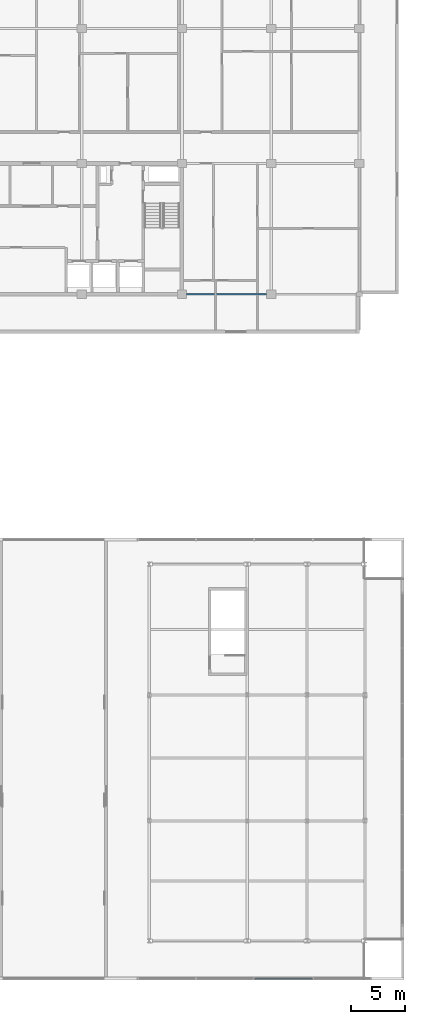
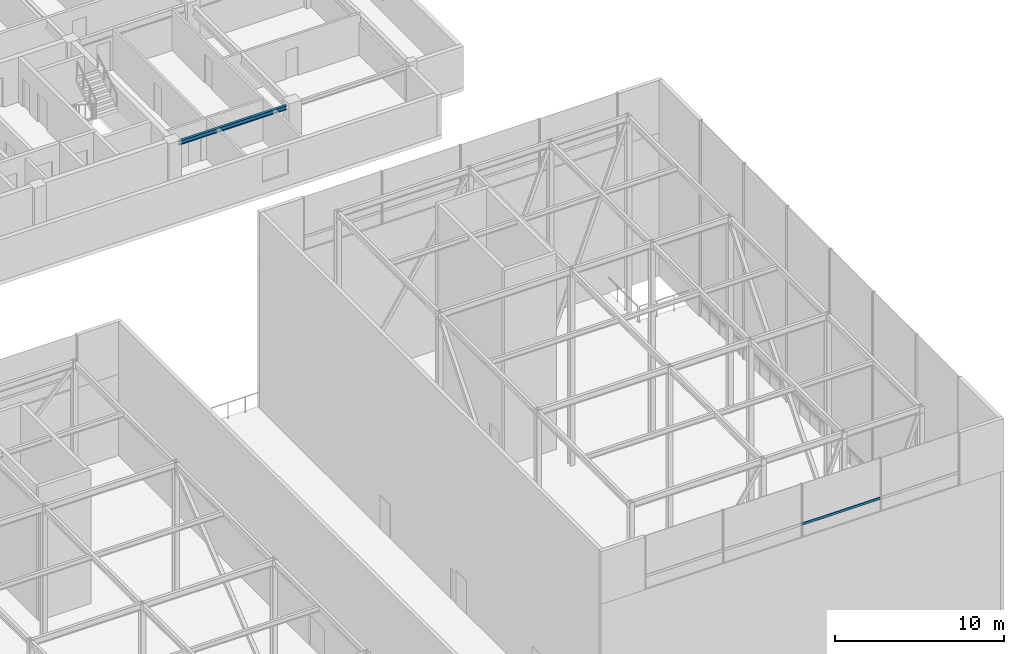
# One storey, part 20 of 42: 1 beam, 1 member, 1 element without a shape of its own.
"""IFC4 building model written with IfcOpenShell, lengths in metres."""

from ifc_helpers import new_model, si_unit, direction, frame, origin, origin_2d, place, context, subcontext, project, spatial, hollow_rectangle, i_section, extrude, material, layer, layer_set, material_profile, profile_set, type_object, element, aggregate, save


model = new_model("IFC4")

# Units and contexts
model_context = context("Model", 3, precision=1e-05, world=origin(), true_north=direction((0.0, 1.0)))
body_context = subcontext(model_context, "Body", "Model", "MODEL_VIEW")
ifc_project = project(units=[si_unit("LENGTHUNIT", "METRE"), si_unit("AREAUNIT", "SQUARE_METRE"), si_unit("VOLUMEUNIT", "CUBIC_METRE"), si_unit("PLANEANGLEUNIT", "RADIAN"), si_unit("MASSUNIT", "GRAM", prefix="KILO")], contexts=[model_context])

# Site, building, storey
site_placement = place(None, origin())
site = spatial("IfcSite", under=ifc_project, at=site_placement, CompositionType="ELEMENT")
building_placement = place(site_placement, origin())
building = spatial("IfcBuilding", under=site, at=building_placement, Name="Korimba Cascade Residences", CompositionType="ELEMENT")
storey_placement = place(building_placement, frame((0.0, 0.0, 207.60009765625)))
storey = spatial("IfcBuildingStorey", under=building, at=storey_placement, Name="L60", CompositionType="ELEMENT", Elevation=207.60009765625)

# Beam
ifc_material_1 = material(Name="Steel S355", Category="steel")
ifc_material_profile_1 = material_profile(ifc_material_1, i_section(OverallWidth=0.165771484375, OverallDepth=0.306640625, WebThickness=0.006591796875, FlangeThickness=0.01171875, FilletRadius=0.0087890625, at=origin_2d()), Name="Steel S355")
ifc_profile_set_1 = profile_set([ifc_material_profile_1], Name="Steel S355")
beam_type = type_object("IfcBeamType", Name="BM-STL-UB305", PredefinedType="SPANDREL", material=ifc_profile_set_1)
beam_placement = place(storey_placement, frame((112.52490234375, 55.199951171875, 2.816650390625), z_axis=(1.0, 0.0, 0.0), x_axis=(0.0, 1.0, 0.0)))
element("IfcBeam", 1, at=beam_placement, inside=storey, type_object=beam_type, Name="L60 T1 E-W Girder Y1 Bay 7", PredefinedType="SPANDREL", context=body_context, shape_type="SweptSolid", body=[
    extrude(i_section(OverallWidth=0.165771484375, OverallDepth=0.306640625, WebThickness=0.006591796875, FlangeThickness=0.01171875, FilletRadius=0.0087890625, at=origin_2d()), origin(), (0.0, 0.0, 1.0), 7.35009765625),
])

# Curtain wall, member
ifc_material_2 = material(Name="Anodised Aluminium Curtain Wall Framing", Category="aluminium")
ifc_layer = layer(ifc_material_2, 0.179931640625)
ifc_layer_set = layer_set([ifc_layer], Name="Anodised Aluminium Curtain Wall Framing")
curtain_wall_type = type_object("IfcCurtainWallType", Name="CW-CRNE-SYS6", PredefinedType="NOTDEFINED", material=ifc_layer_set)
curtain_wall_placement = place(storey_placement, origin())
curtain_wall = element("IfcCurtainWall", 2, at=curtain_wall_placement, inside=storey, type_object=curtain_wall_type, Name="L60 Curtain Wall CW-L60-CRN-E-3", PredefinedType="NOTDEFINED")
ifc_material_3 = material(Name="Anodised Aluminium Transom", Category="aluminium")
ifc_material_profile_2 = material_profile(ifc_material_3, hollow_rectangle(XDim=0.070068359375, YDim=0.179931640625, WallThickness=0.0048828125, InnerFilletRadius=0.0048828125, OuterFilletRadius=0.010009765625, at=origin_2d()), Name="Anodised Aluminium Transom")
ifc_profile_set_2 = profile_set([ifc_material_profile_2], Name="Anodised Aluminium Transom")
member_type = type_object("IfcMemberType", Name="CWM-TRN-150", PredefinedType="USERDEFINED", material=ifc_profile_set_2)
member_placement = place(storey_placement, frame((118.75, -7.675048828125, 11.25), z_axis=(1.0, 0.0, 0.0), x_axis=(0.0, 1.0, 0.0)))
member = element("IfcMember", 3, at=member_placement, type_object=member_type, Name="CW-L60-CRN-E-3 Transom 3", ObjectType="TRANSOM", PredefinedType="USERDEFINED", context=body_context, shape_type="SweptSolid", body=[
    extrude(hollow_rectangle(XDim=0.070068359375, YDim=0.179931640625, WallThickness=0.0048828125, InnerFilletRadius=0.0048828125, OuterFilletRadius=0.010009765625, at=origin_2d()), origin(), (0.0, 0.0, 1.0), 5.375),
])
aggregate(curtain_wall, [member])

save(model, "model.ifc")
